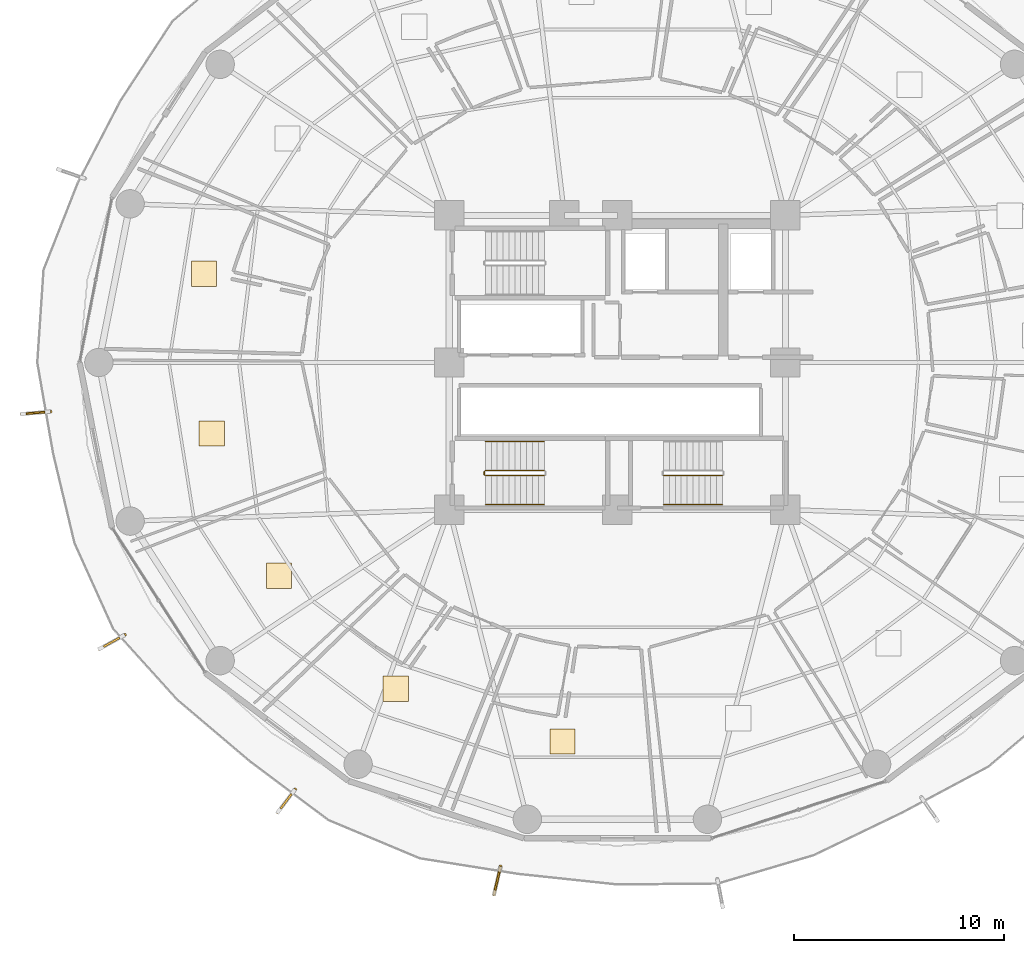
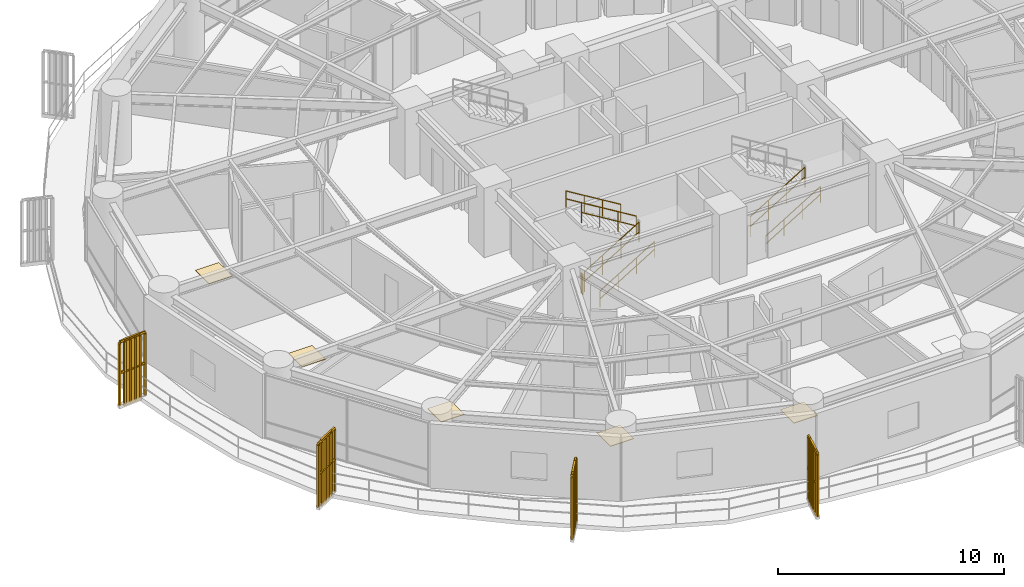
# One storey, part 30 of 33: 11 railings, 5 coverings, 4 shading devices.
"""IFC4 building model written with IfcOpenShell, lengths in metres."""

from ifc_helpers import new_model, si_unit, direction, frame, origin, origin_2d, place, context, subcontext, project, spatial, polyline, rectangle, outline, extrude, source, transform, mapped, material, layer, layer_set, type_object, element, save


model = new_model("IFC4")

# Units and contexts
model_context = context("Model", 3, precision=1e-05, world=origin(), true_north=direction((0.0, 1.0)))
body_context = subcontext(model_context, "Body", "Model", "MODEL_VIEW")
ifc_project = project(units=[si_unit("LENGTHUNIT", "METRE"), si_unit("AREAUNIT", "SQUARE_METRE"), si_unit("VOLUMEUNIT", "CUBIC_METRE"), si_unit("PLANEANGLEUNIT", "RADIAN"), si_unit("MASSUNIT", "GRAM", prefix="KILO")], contexts=[model_context])

# Site, building, storey
site_placement = place(None, origin())
site = spatial("IfcSite", under=ifc_project, at=site_placement, CompositionType="ELEMENT")
building_placement = place(site_placement, origin())
building = spatial("IfcBuilding", under=site, at=building_placement, Name="Kelanora Arch Commons", CompositionType="ELEMENT")
storey_placement = place(building_placement, frame((0.0, 0.0, 80.10009765625)))
storey = spatial("IfcBuildingStorey", under=building, at=storey_placement, Name="L20", CompositionType="ELEMENT", Elevation=80.10009765625)

# Railings
ifc_material_1 = material(Name="Anodised bronze vertical shading fin rib assembly")
railing_type_1 = type_object("IfcRailingType", Name="RAIL-FIN-BRZ", PredefinedType="BALUSTRADE", material=ifc_material_1)
railing_1_placement = place(storey_placement, frame((47.01708984375, 55.66455078125, -0.02001953125)))
element("IfcRailing", 1, at=railing_1_placement, inside=storey, type_object=railing_type_1, Name="Sweeping Bronze Vertical Fin Blade L20-06", PredefinedType="BALUSTRADE", context=body_context, shape_type="SweptSolid", body=[
    extrude(outline(polyline([(0.06982421875, 0.0), (0.034912109375, 0.060546875), (-0.034912109375, 0.060546875), (-0.06982421875, 0.0), (-0.034912109375, -0.060546875), (0.034912109375, -0.060546875), (0.06982421875, 0.0)])), frame((0.0, 0.0, 3.419921875), z_axis=(-0.996276448328, -0.086216231105, 0.0), x_axis=(0.086216231105, -0.996276448328, 0.0)), (0.0, 0.0, 1.0), 1.376220703125),
    extrude(outline(polyline([(0.06982421875, 0.0), (0.034912109375, 0.060546875), (-0.034912109375, 0.060546875), (-0.06982421875, 0.0), (-0.034912109375, -0.060546875), (0.034912109375, -0.060546875), (0.06982421875, 0.0)])), frame((0.0, 0.0, 1.7451171875), z_axis=(-0.996276448328, -0.086216231105, 0.0), x_axis=(0.086216231105, -0.996276448328, 0.0)), (0.0, 0.0, 1.0), 1.376220703125),
    extrude(outline(polyline([(0.080078125, 0.0), (0.0400390625, 0.0693359375), (-0.0400390625, 0.0693359375), (-0.080078125, 0.0), (-0.0400390625, -0.0693359375), (0.0400390625, -0.0693359375), (0.080078125, 0.0)])), origin(), (0.0, 0.0, 1.0), 3.35009765625),
    extrude(outline(polyline([(0.080078125, 0.0), (0.0400390625, 0.0693359375), (-0.0400390625, 0.0693359375), (-0.080078125, 0.0), (-0.0400390625, -0.0693359375), (0.0400390625, -0.0693359375), (0.080078125, 0.0)])), frame((-0.274169921875, -0.023681640625, 0.0)), (0.0, 0.0, 1.0), 3.35009765625),
    extrude(outline(polyline([(0.080078125, 0.0), (0.0400390625, 0.0693359375), (-0.0400390625, 0.0693359375), (-0.080078125, 0.0), (-0.0400390625, -0.0693359375), (0.0400390625, -0.0693359375), (0.080078125, 0.0)])), frame((-0.54833984375, -0.04736328125, 0.0)), (0.0, 0.0, 1.0), 3.35009765625),
    extrude(outline(polyline([(0.080078125, 0.0), (0.0400390625, 0.0693359375), (-0.0400390625, 0.0693359375), (-0.080078125, 0.0), (-0.0400390625, -0.0693359375), (0.0400390625, -0.0693359375), (0.080078125, 0.0)])), frame((-0.82275390625, -0.0712890625, 0.0)), (0.0, 0.0, 1.0), 3.35009765625),
    extrude(outline(polyline([(0.080078125, 0.0), (0.0400390625, 0.0693359375), (-0.0400390625, 0.0693359375), (-0.080078125, 0.0), (-0.0400390625, -0.0693359375), (0.0400390625, -0.0693359375), (0.080078125, 0.0)])), frame((-1.096923828125, -0.094970703125, 0.0)), (0.0, 0.0, 1.0), 3.35009765625),
    extrude(outline(polyline([(0.080078125, 0.0), (0.0400390625, 0.0693359375), (-0.0400390625, 0.0693359375), (-0.080078125, 0.0), (-0.0400390625, -0.0693359375), (0.0400390625, -0.0693359375), (0.080078125, 0.0)])), frame((-1.37109375, -0.11865234375, 0.0)), (0.0, 0.0, 1.0), 3.35009765625),
])
railing_2_placement = place(storey_placement, frame((50.553955078125, 45.031982421875, -0.02001953125)))
element("IfcRailing", 2, at=railing_2_placement, inside=storey, type_object=railing_type_1, Name="Sweeping Bronze Vertical Fin Blade L20-07", PredefinedType="BALUSTRADE", context=body_context, shape_type="SweptSolid", body=[
    extrude(outline(polyline([(0.06982421875, 0.0), (0.034912109375, 0.060546875), (-0.034912109375, 0.060546875), (-0.06982421875, 0.0), (-0.034912109375, -0.060546875), (0.034912109375, -0.060546875), (0.06982421875, 0.0)])), frame((0.0, 0.0, 3.419921875), z_axis=(-0.875059624821, -0.484015137168, 0.0), x_axis=(0.484015137168, -0.875059624821, 0.0)), (0.0, 0.0, 1.0), 1.3759765625),
    extrude(outline(polyline([(0.06982421875, 0.0), (0.034912109375, 0.060546875), (-0.034912109375, 0.060546875), (-0.06982421875, 0.0), (-0.034912109375, -0.060546875), (0.034912109375, -0.060546875), (0.06982421875, 0.0)])), frame((0.0, 0.0, 1.7451171875), z_axis=(-0.875059624821, -0.484015137168, 0.0), x_axis=(0.484015137168, -0.875059624821, 0.0)), (0.0, 0.0, 1.0), 1.3759765625),
    extrude(outline(polyline([(0.080078125, 0.0), (0.0400390625, 0.0693359375), (-0.0400390625, 0.0693359375), (-0.080078125, 0.0), (-0.0400390625, -0.0693359375), (0.0400390625, -0.0693359375), (0.080078125, 0.0)])), origin(), (0.0, 0.0, 1.0), 3.35009765625),
    extrude(outline(polyline([(0.080078125, 0.0), (0.0400390625, 0.0693359375), (-0.0400390625, 0.0693359375), (-0.080078125, 0.0), (-0.0400390625, -0.0693359375), (0.0400390625, -0.0693359375), (0.080078125, 0.0)])), frame((-0.24072265625, -0.13330078125, 0.0)), (0.0, 0.0, 1.0), 3.35009765625),
    extrude(outline(polyline([(0.080078125, 0.0), (0.0400390625, 0.0693359375), (-0.0400390625, 0.0693359375), (-0.080078125, 0.0), (-0.0400390625, -0.0693359375), (0.0400390625, -0.0693359375), (0.080078125, 0.0)])), frame((-0.481689453125, -0.266357421875, 0.0)), (0.0, 0.0, 1.0), 3.35009765625),
    extrude(outline(polyline([(0.080078125, 0.0), (0.0400390625, 0.0693359375), (-0.0400390625, 0.0693359375), (-0.080078125, 0.0), (-0.0400390625, -0.0693359375), (0.0400390625, -0.0693359375), (0.080078125, 0.0)])), frame((-0.722412109375, -0.399658203125, 0.0)), (0.0, 0.0, 1.0), 3.35009765625),
    extrude(outline(polyline([(0.080078125, 0.0), (0.0400390625, 0.0693359375), (-0.0400390625, 0.0693359375), (-0.080078125, 0.0), (-0.0400390625, -0.0693359375), (0.0400390625, -0.0693359375), (0.080078125, 0.0)])), frame((-0.96337890625, -0.53271484375, 0.0)), (0.0, 0.0, 1.0), 3.35009765625),
    extrude(outline(polyline([(0.080078125, 0.0), (0.0400390625, 0.0693359375), (-0.0400390625, 0.0693359375), (-0.080078125, 0.0), (-0.0400390625, -0.0693359375), (0.0400390625, -0.0693359375), (0.080078125, 0.0)])), frame((-1.2041015625, -0.666015625, 0.0)), (0.0, 0.0, 1.0), 3.35009765625),
])
railing_3_placement = place(storey_placement, frame((58.661376953125, 37.68408203125, -0.02001953125)))
element("IfcRailing", 3, at=railing_3_placement, inside=storey, type_object=railing_type_1, Name="Sweeping Bronze Vertical Fin Blade L20-08", PredefinedType="BALUSTRADE", context=body_context, shape_type="SweptSolid", body=[
    extrude(outline(polyline([(0.06982421875, 0.0), (0.034912109375, 0.060546875), (-0.034912109375, 0.060546875), (-0.06982421875, 0.0), (-0.034912109375, -0.060546875), (0.034912109375, -0.060546875), (0.06982421875, 0.0)])), frame((0.0, 0.0, 3.419921875), z_axis=(-0.602466615881, -0.7981440827, 0.0), x_axis=(0.7981440827, -0.602466615881, 0.0)), (0.0, 0.0, 1.0), 1.376220703125),
    extrude(outline(polyline([(0.06982421875, 0.0), (0.034912109375, 0.060546875), (-0.034912109375, 0.060546875), (-0.06982421875, 0.0), (-0.034912109375, -0.060546875), (0.034912109375, -0.060546875), (0.06982421875, 0.0)])), frame((0.0, 0.0, 1.7451171875), z_axis=(-0.602466615881, -0.7981440827, 0.0), x_axis=(0.7981440827, -0.602466615881, 0.0)), (0.0, 0.0, 1.0), 1.376220703125),
    extrude(outline(polyline([(0.080078125, 0.0), (0.0400390625, 0.0693359375), (-0.0400390625, 0.0693359375), (-0.080078125, 0.0), (-0.0400390625, -0.0693359375), (0.0400390625, -0.0693359375), (0.080078125, 0.0)])), origin(), (0.0, 0.0, 1.0), 3.35009765625),
    extrude(outline(polyline([(0.080078125, 0.0), (0.0400390625, 0.0693359375), (-0.0400390625, 0.0693359375), (-0.080078125, 0.0), (-0.0400390625, -0.0693359375), (0.0400390625, -0.0693359375), (0.080078125, 0.0)])), frame((-0.165771484375, -0.2197265625, 0.0)), (0.0, 0.0, 1.0), 3.35009765625),
    extrude(outline(polyline([(0.080078125, 0.0), (0.0400390625, 0.0693359375), (-0.0400390625, 0.0693359375), (-0.080078125, 0.0), (-0.0400390625, -0.0693359375), (0.0400390625, -0.0693359375), (0.080078125, 0.0)])), frame((-0.33154296875, -0.439453125, 0.0)), (0.0, 0.0, 1.0), 3.35009765625),
    extrude(outline(polyline([(0.080078125, 0.0), (0.0400390625, 0.0693359375), (-0.0400390625, 0.0693359375), (-0.080078125, 0.0), (-0.0400390625, -0.0693359375), (0.0400390625, -0.0693359375), (0.080078125, 0.0)])), frame((-0.49755859375, -0.658935546875, 0.0)), (0.0, 0.0, 1.0), 3.35009765625),
    extrude(outline(polyline([(0.080078125, 0.0), (0.0400390625, 0.0693359375), (-0.0400390625, 0.0693359375), (-0.080078125, 0.0), (-0.0400390625, -0.0693359375), (0.0400390625, -0.0693359375), (0.080078125, 0.0)])), frame((-0.663330078125, -0.878662109375, 0.0)), (0.0, 0.0, 1.0), 3.35009765625),
    extrude(outline(polyline([(0.080078125, 0.0), (0.0400390625, 0.0693359375), (-0.0400390625, 0.0693359375), (-0.080078125, 0.0), (-0.0400390625, -0.0693359375), (0.0400390625, -0.0693359375), (0.080078125, 0.0)])), frame((-0.8291015625, -1.098388671875, 0.0)), (0.0, 0.0, 1.0), 3.35009765625),
])
railing_4_placement = place(storey_placement, frame((68.439697265625, 34.016357421875, -0.02001953125)))
element("IfcRailing", 4, at=railing_4_placement, inside=storey, type_object=railing_type_1, Name="Sweeping Bronze Vertical Fin Blade L20-09", PredefinedType="BALUSTRADE", context=body_context, shape_type="SweptSolid", body=[
    extrude(outline(polyline([(0.06982421875, 0.0), (0.034912109375, 0.060546875), (-0.034912109375, 0.060546875), (-0.06982421875, 0.0), (-0.034912109375, -0.060546875), (0.034912109375, -0.060546875), (0.06982421875, 0.0)])), frame((0.0, 0.0, 3.419921875), z_axis=(-0.225844122237, -0.974163452636, 0.0), x_axis=(0.974163452636, -0.225844122237, 0.0)), (0.0, 0.0, 1.0), 1.376220703125),
    extrude(outline(polyline([(0.06982421875, 0.0), (0.034912109375, 0.060546875), (-0.034912109375, 0.060546875), (-0.06982421875, 0.0), (-0.034912109375, -0.060546875), (0.034912109375, -0.060546875), (0.06982421875, 0.0)])), frame((0.0, 0.0, 1.7451171875), z_axis=(-0.225844122237, -0.974163452636, 0.0), x_axis=(0.974163452636, -0.225844122237, 0.0)), (0.0, 0.0, 1.0), 1.376220703125),
    extrude(outline(polyline([(0.080078125, 0.0), (0.0400390625, 0.0693359375), (-0.0400390625, 0.0693359375), (-0.080078125, 0.0), (-0.0400390625, -0.0693359375), (0.0400390625, -0.0693359375), (0.080078125, 0.0)])), origin(), (0.0, 0.0, 1.0), 3.35009765625),
    extrude(outline(polyline([(0.080078125, 0.0), (0.0400390625, 0.0693359375), (-0.0400390625, 0.0693359375), (-0.080078125, 0.0), (-0.0400390625, -0.0693359375), (0.0400390625, -0.0693359375), (0.080078125, 0.0)])), frame((-0.062255859375, -0.26806640625, 0.0)), (0.0, 0.0, 1.0), 3.35009765625),
    extrude(outline(polyline([(0.080078125, 0.0), (0.0400390625, 0.0693359375), (-0.0400390625, 0.0693359375), (-0.080078125, 0.0), (-0.0400390625, -0.0693359375), (0.0400390625, -0.0693359375), (0.080078125, 0.0)])), frame((-0.124267578125, -0.5361328125, 0.0)), (0.0, 0.0, 1.0), 3.35009765625),
    extrude(outline(polyline([(0.080078125, 0.0), (0.0400390625, 0.0693359375), (-0.0400390625, 0.0693359375), (-0.080078125, 0.0), (-0.0400390625, -0.0693359375), (0.0400390625, -0.0693359375), (0.080078125, 0.0)])), frame((-0.1865234375, -0.804443359375, 0.0)), (0.0, 0.0, 1.0), 3.35009765625),
    extrude(outline(polyline([(0.080078125, 0.0), (0.0400390625, 0.0693359375), (-0.0400390625, 0.0693359375), (-0.080078125, 0.0), (-0.0400390625, -0.0693359375), (0.0400390625, -0.0693359375), (0.080078125, 0.0)])), frame((-0.24853515625, -1.072509765625, 0.0)), (0.0, 0.0, 1.0), 3.35009765625),
    extrude(outline(polyline([(0.080078125, 0.0), (0.0400390625, 0.0693359375), (-0.0400390625, 0.0693359375), (-0.080078125, 0.0), (-0.0400390625, -0.0693359375), (0.0400390625, -0.0693359375), (0.080078125, 0.0)])), frame((-0.310791015625, -1.340576171875, 0.0)), (0.0, 0.0, 1.0), 3.35009765625),
])
ifc_material_2 = material(Name="Painted steel stair well guard", Category="steel")
railing_type_2 = type_object("IfcRailingType", Name="RAIL-STAIR-GRD", PredefinedType="GUARDRAIL", material=ifc_material_2)
railing_5_placement = place(storey_placement, frame((76.199951171875, 52.610107421875, 0.17041015625)))
element("IfcRailing", 5, at=railing_5_placement, inside=storey, type_object=railing_type_2, Name="L20 ST-T2 stair guard 1", PredefinedType="GUARDRAIL", context=body_context, shape_type="SweptSolid", body=[
    extrude(outline(polyline([(0.02392578125, 0.0), (0.011962890625, 0.020751953125), (-0.011962890625, 0.020751953125), (-0.02392578125, 0.0), (-0.011962890625, -0.020751953125), (0.011962890625, -0.020751953125), (0.02392578125, 0.0)])), frame((0.0, 0.0, 1.076171875), z_axis=(0.854169791009, 0.0, 0.51999420009), x_axis=(0.0, 1.0, 0.0)), (0.0, 0.0, 1.0), 3.278076171875),
    extrude(outline(polyline([(0.02392578125, 0.0), (0.011962890625, 0.020751953125), (-0.011962890625, 0.020751953125), (-0.02392578125, 0.0), (-0.011962890625, -0.020751953125), (0.011962890625, -0.020751953125), (0.02392578125, 0.0)])), frame((0.0, 0.0, 0.550048828125), z_axis=(0.854169791009, 0.0, 0.51999420009), x_axis=(0.0, 1.0, 0.0)), (0.0, 0.0, 1.0), 3.278076171875),
    extrude(outline(polyline([(0.02099609375, 0.0), (0.010498046875, 0.01806640625), (-0.010498046875, 0.01806640625), (-0.02099609375, 0.0), (-0.010498046875, -0.01806640625), (0.010498046875, -0.01806640625), (0.02099609375, 0.0)])), origin(), (0.0, 0.0, 1.0), 1.052001953125),
    extrude(outline(polyline([(0.02099609375, 0.0), (0.010498046875, 0.01806640625), (-0.010498046875, 0.01806640625), (-0.02099609375, 0.0), (-0.010498046875, -0.01806640625), (0.010498046875, -0.01806640625), (0.02099609375, 0.0)])), frame((0.933349609375, 0.0, 0.568115234375)), (0.0, 0.0, 1.0), 1.052001953125),
    extrude(outline(polyline([(0.02099609375, 0.0), (0.010498046875, 0.01806640625), (-0.010498046875, 0.01806640625), (-0.02099609375, 0.0), (-0.010498046875, -0.01806640625), (0.010498046875, -0.01806640625), (0.02099609375, 0.0)])), frame((1.86669921875, 0.0, 1.136474609375)), (0.0, 0.0, 1.0), 1.052001953125),
    extrude(outline(polyline([(0.02099609375, 0.0), (0.010498046875, 0.01806640625), (-0.010498046875, 0.01806640625), (-0.02099609375, 0.0), (-0.010498046875, -0.01806640625), (0.010498046875, -0.01806640625), (0.02099609375, 0.0)])), frame((2.800048828125, 0.0, 1.70458984375)), (0.0, 0.0, 1.0), 1.052001953125),
])
railing_6_placement = place(storey_placement, frame((67.719970703125, 52.610107421875, 0.17041015625)))
element("IfcRailing", 6, at=railing_6_placement, inside=storey, type_object=railing_type_2, Name="L20 ST-T3 stair guard 1", PredefinedType="GUARDRAIL", context=body_context, shape_type="SweptSolid", body=[
    extrude(outline(polyline([(0.02392578125, 0.0), (0.011962890625, 0.020751953125), (-0.011962890625, 0.020751953125), (-0.02392578125, 0.0), (-0.011962890625, -0.020751953125), (0.011962890625, -0.020751953125), (0.02392578125, 0.0)])), frame((0.0, 0.0, 1.076171875), z_axis=(0.854169791009, 0.0, 0.51999420009), x_axis=(0.0, 1.0, 0.0)), (0.0, 0.0, 1.0), 3.278076171875),
    extrude(outline(polyline([(0.02392578125, 0.0), (0.011962890625, 0.020751953125), (-0.011962890625, 0.020751953125), (-0.02392578125, 0.0), (-0.011962890625, -0.020751953125), (0.011962890625, -0.020751953125), (0.02392578125, 0.0)])), frame((0.0, 0.0, 0.550048828125), z_axis=(0.854169791009, 0.0, 0.51999420009), x_axis=(0.0, 1.0, 0.0)), (0.0, 0.0, 1.0), 3.278076171875),
    extrude(outline(polyline([(0.02099609375, 0.0), (0.010498046875, 0.01806640625), (-0.010498046875, 0.01806640625), (-0.02099609375, 0.0), (-0.010498046875, -0.01806640625), (0.010498046875, -0.01806640625), (0.02099609375, 0.0)])), origin(), (0.0, 0.0, 1.0), 1.052001953125),
    extrude(outline(polyline([(0.02099609375, 0.0), (0.010498046875, 0.01806640625), (-0.010498046875, 0.01806640625), (-0.02099609375, 0.0), (-0.010498046875, -0.01806640625), (0.010498046875, -0.01806640625), (0.02099609375, 0.0)])), frame((0.933349609375, 0.0, 0.568115234375)), (0.0, 0.0, 1.0), 1.052001953125),
    extrude(outline(polyline([(0.02099609375, 0.0), (0.010498046875, 0.01806640625), (-0.010498046875, 0.01806640625), (-0.02099609375, 0.0), (-0.010498046875, -0.01806640625), (0.010498046875, -0.01806640625), (0.02099609375, 0.0)])), frame((1.86669921875, 0.0, 1.136474609375)), (0.0, 0.0, 1.0), 1.052001953125),
    extrude(outline(polyline([(0.02099609375, 0.0), (0.010498046875, 0.01806640625), (-0.010498046875, 0.01806640625), (-0.02099609375, 0.0), (-0.010498046875, -0.01806640625), (0.010498046875, -0.01806640625), (0.02099609375, 0.0)])), frame((2.800048828125, 0.0, 1.70458984375)), (0.0, 0.0, 1.0), 1.052001953125),
])
railing_7_placement = place(storey_placement, frame((70.52001953125, 52.860107421875, 2.04541015625)))
element("IfcRailing", 7, at=railing_7_placement, inside=storey, type_object=railing_type_2, Name="L20 ST-T3 stair guard 3", PredefinedType="GUARDRAIL", context=body_context, shape_type="SweptSolid", body=[
    extrude(outline(polyline([(0.02392578125, 0.0), (0.011962890625, 0.020751953125), (-0.011962890625, 0.020751953125), (-0.02392578125, 0.0), (-0.011962890625, -0.020751953125), (0.011962890625, -0.020751953125), (0.02392578125, 0.0)])), frame((0.0, 0.0, 1.076171875), z_axis=(-0.854169791009, 0.0, 0.51999420009), x_axis=(0.0, -1.0, 0.0)), (0.0, 0.0, 1.0), 3.278076171875),
    extrude(outline(polyline([(0.02392578125, 0.0), (0.011962890625, 0.020751953125), (-0.011962890625, 0.020751953125), (-0.02392578125, 0.0), (-0.011962890625, -0.020751953125), (0.011962890625, -0.020751953125), (0.02392578125, 0.0)])), frame((0.0, 0.0, 0.550048828125), z_axis=(-0.854169791009, 0.0, 0.51999420009), x_axis=(0.0, -1.0, 0.0)), (0.0, 0.0, 1.0), 3.278076171875),
    extrude(outline(polyline([(0.02099609375, 0.0), (0.010498046875, 0.01806640625), (-0.010498046875, 0.01806640625), (-0.02099609375, 0.0), (-0.010498046875, -0.01806640625), (0.010498046875, -0.01806640625), (0.02099609375, 0.0)])), origin(), (0.0, 0.0, 1.0), 1.052001953125),
    extrude(outline(polyline([(0.02099609375, 0.0), (0.010498046875, 0.01806640625), (-0.010498046875, 0.01806640625), (-0.02099609375, 0.0), (-0.010498046875, -0.01806640625), (0.010498046875, -0.01806640625), (0.02099609375, 0.0)])), frame((-0.933349609375, 0.0, 0.568115234375)), (0.0, 0.0, 1.0), 1.052001953125),
    extrude(outline(polyline([(0.02099609375, 0.0), (0.010498046875, 0.01806640625), (-0.010498046875, 0.01806640625), (-0.02099609375, 0.0), (-0.010498046875, -0.01806640625), (0.010498046875, -0.01806640625), (0.02099609375, 0.0)])), frame((-1.86669921875, 0.0, 1.136474609375)), (0.0, 0.0, 1.0), 1.052001953125),
    extrude(outline(polyline([(0.02099609375, 0.0), (0.010498046875, 0.01806640625), (-0.010498046875, 0.01806640625), (-0.02099609375, 0.0), (-0.010498046875, -0.01806640625), (0.010498046875, -0.01806640625), (0.02099609375, 0.0)])), frame((-2.800048828125, 0.0, 1.70458984375)), (0.0, 0.0, 1.0), 1.052001953125),
])
railing_8_placement = place(storey_placement, frame((67.669921875, 52.659912109375, 0.0)))
element("IfcRailing", 8, at=railing_8_placement, inside=storey, type_object=railing_type_2, Name="L20 ST-T3 stair guard 4", PredefinedType="GUARDRAIL", context=body_context, shape_type="SweptSolid", body=[
    extrude(outline(polyline([(0.02392578125, 0.0), (0.011962890625, 0.020751953125), (-0.011962890625, 0.020751953125), (-0.02392578125, 0.0), (-0.011962890625, -0.020751953125), (0.011962890625, -0.020751953125), (0.02392578125, 0.0)])), frame((0.0, 0.0, 1.076171875), z_axis=(0.0, 1.0, 0.0), x_axis=(-1.0, 0.0, 0.0)), (0.0, 0.0, 1.0), 0.150146484375),
    extrude(outline(polyline([(0.02392578125, 0.0), (0.011962890625, 0.020751953125), (-0.011962890625, 0.020751953125), (-0.02392578125, 0.0), (-0.011962890625, -0.020751953125), (0.011962890625, -0.020751953125), (0.02392578125, 0.0)])), frame((0.0, 0.0, 0.550048828125), z_axis=(0.0, 1.0, 0.0), x_axis=(-1.0, 0.0, 0.0)), (0.0, 0.0, 1.0), 0.150146484375),
    extrude(outline(polyline([(0.02099609375, 0.0), (0.010498046875, 0.01806640625), (-0.010498046875, 0.01806640625), (-0.02099609375, 0.0), (-0.010498046875, -0.01806640625), (0.010498046875, -0.01806640625), (0.02099609375, 0.0)])), origin(), (0.0, 0.0, 1.0), 1.052001953125),
    extrude(outline(polyline([(0.02099609375, 0.0), (0.010498046875, 0.01806640625), (-0.010498046875, 0.01806640625), (-0.02099609375, 0.0), (-0.010498046875, -0.01806640625), (0.010498046875, -0.01806640625), (0.02099609375, 0.0)])), frame((0.0, 0.150146484375, 0.0)), (0.0, 0.0, 1.0), 1.052001953125),
])
ifc_material_3 = material(Name="Brushed stainless steel stair handrail", Category="steel")
railing_type_3 = type_object("IfcRailingType", Name="RAIL-STAIR-HND", PredefinedType="HANDRAIL", material=ifc_material_3)
railing_9_placement = place(storey_placement, frame((76.199951171875, 51.22998046875, 0.17041015625)))
element("IfcRailing", 9, at=railing_9_placement, inside=storey, type_object=railing_type_3, Name="L20 ST-T2 stair handrail 1", PredefinedType="HANDRAIL", context=body_context, shape_type="SweptSolid", body=[
    extrude(outline(polyline([(0.02392578125, 0.0), (0.011962890625, 0.020751953125), (-0.011962890625, 0.020751953125), (-0.02392578125, 0.0), (-0.011962890625, -0.020751953125), (0.011962890625, -0.020751953125), (0.02392578125, 0.0)])), frame((0.0, 0.0, 0.8759765625), z_axis=(0.854169791009, 0.0, 0.51999420009), x_axis=(0.0, 1.0, 0.0)), (0.0, 0.0, 1.0), 3.278076171875),
    extrude(outline(polyline([(0.02392578125, 0.0), (0.011962890625, 0.020751953125), (-0.011962890625, 0.020751953125), (-0.02392578125, 0.0), (-0.011962890625, -0.020751953125), (0.011962890625, -0.020751953125), (0.02392578125, 0.0)])), frame((0.0, 0.0, 0.449951171875), z_axis=(0.854169791009, 0.0, 0.51999420009), x_axis=(0.0, 1.0, 0.0)), (0.0, 0.0, 1.0), 3.278076171875),
    extrude(outline(polyline([(0.02099609375, 0.0), (0.010498046875, 0.01806640625), (-0.010498046875, 0.01806640625), (-0.02099609375, 0.0), (-0.010498046875, -0.01806640625), (0.010498046875, -0.01806640625), (0.02099609375, 0.0)])), origin(), (0.0, 0.0, 1.0), 0.851806640625),
    extrude(outline(polyline([(0.02099609375, 0.0), (0.010498046875, 0.01806640625), (-0.010498046875, 0.01806640625), (-0.02099609375, 0.0), (-0.010498046875, -0.01806640625), (0.010498046875, -0.01806640625), (0.02099609375, 0.0)])), frame((0.933349609375, 0.0, 0.568115234375)), (0.0, 0.0, 1.0), 0.851806640625),
    extrude(outline(polyline([(0.02099609375, 0.0), (0.010498046875, 0.01806640625), (-0.010498046875, 0.01806640625), (-0.02099609375, 0.0), (-0.010498046875, -0.01806640625), (0.010498046875, -0.01806640625), (0.02099609375, 0.0)])), frame((1.86669921875, 0.0, 1.136474609375)), (0.0, 0.0, 1.0), 0.851806640625),
    extrude(outline(polyline([(0.02099609375, 0.0), (0.010498046875, 0.01806640625), (-0.010498046875, 0.01806640625), (-0.02099609375, 0.0), (-0.010498046875, -0.01806640625), (0.010498046875, -0.01806640625), (0.02099609375, 0.0)])), frame((2.800048828125, 0.0, 1.70458984375)), (0.0, 0.0, 1.0), 0.851806640625),
])
railing_10_placement = place(storey_placement, frame((67.719970703125, 51.22998046875, 0.17041015625)))
element("IfcRailing", 10, at=railing_10_placement, inside=storey, type_object=railing_type_3, Name="L20 ST-T3 stair handrail 1", PredefinedType="HANDRAIL", context=body_context, shape_type="SweptSolid", body=[
    extrude(outline(polyline([(0.02392578125, 0.0), (0.011962890625, 0.020751953125), (-0.011962890625, 0.020751953125), (-0.02392578125, 0.0), (-0.011962890625, -0.020751953125), (0.011962890625, -0.020751953125), (0.02392578125, 0.0)])), frame((0.0, 0.0, 0.8759765625), z_axis=(0.854169791009, 0.0, 0.51999420009), x_axis=(0.0, 1.0, 0.0)), (0.0, 0.0, 1.0), 3.278076171875),
    extrude(outline(polyline([(0.02392578125, 0.0), (0.011962890625, 0.020751953125), (-0.011962890625, 0.020751953125), (-0.02392578125, 0.0), (-0.011962890625, -0.020751953125), (0.011962890625, -0.020751953125), (0.02392578125, 0.0)])), frame((0.0, 0.0, 0.449951171875), z_axis=(0.854169791009, 0.0, 0.51999420009), x_axis=(0.0, 1.0, 0.0)), (0.0, 0.0, 1.0), 3.278076171875),
    extrude(outline(polyline([(0.02099609375, 0.0), (0.010498046875, 0.01806640625), (-0.010498046875, 0.01806640625), (-0.02099609375, 0.0), (-0.010498046875, -0.01806640625), (0.010498046875, -0.01806640625), (0.02099609375, 0.0)])), origin(), (0.0, 0.0, 1.0), 0.851806640625),
    extrude(outline(polyline([(0.02099609375, 0.0), (0.010498046875, 0.01806640625), (-0.010498046875, 0.01806640625), (-0.02099609375, 0.0), (-0.010498046875, -0.01806640625), (0.010498046875, -0.01806640625), (0.02099609375, 0.0)])), frame((0.933349609375, 0.0, 0.568115234375)), (0.0, 0.0, 1.0), 0.851806640625),
    extrude(outline(polyline([(0.02099609375, 0.0), (0.010498046875, 0.01806640625), (-0.010498046875, 0.01806640625), (-0.02099609375, 0.0), (-0.010498046875, -0.01806640625), (0.010498046875, -0.01806640625), (0.02099609375, 0.0)])), frame((1.86669921875, 0.0, 1.136474609375)), (0.0, 0.0, 1.0), 0.851806640625),
    extrude(outline(polyline([(0.02099609375, 0.0), (0.010498046875, 0.01806640625), (-0.010498046875, 0.01806640625), (-0.02099609375, 0.0), (-0.010498046875, -0.01806640625), (0.010498046875, -0.01806640625), (0.02099609375, 0.0)])), frame((2.800048828125, 0.0, 1.70458984375)), (0.0, 0.0, 1.0), 0.851806640625),
])
railing_11_placement = place(storey_placement, frame((70.52001953125, 54.239990234375, 2.04541015625)))
element("IfcRailing", 11, at=railing_11_placement, inside=storey, type_object=railing_type_3, Name="L20 ST-T3 stair handrail 2", PredefinedType="HANDRAIL", context=body_context, shape_type="SweptSolid", body=[
    extrude(outline(polyline([(0.02392578125, 0.0), (0.011962890625, 0.020751953125), (-0.011962890625, 0.020751953125), (-0.02392578125, 0.0), (-0.011962890625, -0.020751953125), (0.011962890625, -0.020751953125), (0.02392578125, 0.0)])), frame((0.0, 0.0, 0.8759765625), z_axis=(-0.854169791009, 0.0, 0.51999420009), x_axis=(0.0, -1.0, 0.0)), (0.0, 0.0, 1.0), 3.278076171875),
    extrude(outline(polyline([(0.02392578125, 0.0), (0.011962890625, 0.020751953125), (-0.011962890625, 0.020751953125), (-0.02392578125, 0.0), (-0.011962890625, -0.020751953125), (0.011962890625, -0.020751953125), (0.02392578125, 0.0)])), frame((0.0, 0.0, 0.449951171875), z_axis=(-0.854169791009, 0.0, 0.51999420009), x_axis=(0.0, -1.0, 0.0)), (0.0, 0.0, 1.0), 3.278076171875),
    extrude(outline(polyline([(0.02099609375, 0.0), (0.010498046875, 0.01806640625), (-0.010498046875, 0.01806640625), (-0.02099609375, 0.0), (-0.010498046875, -0.01806640625), (0.010498046875, -0.01806640625), (0.02099609375, 0.0)])), origin(), (0.0, 0.0, 1.0), 0.851806640625),
    extrude(outline(polyline([(0.02099609375, 0.0), (0.010498046875, 0.01806640625), (-0.010498046875, 0.01806640625), (-0.02099609375, 0.0), (-0.010498046875, -0.01806640625), (0.010498046875, -0.01806640625), (0.02099609375, 0.0)])), frame((-0.933349609375, 0.0, 0.568115234375)), (0.0, 0.0, 1.0), 0.851806640625),
    extrude(outline(polyline([(0.02099609375, 0.0), (0.010498046875, 0.01806640625), (-0.010498046875, 0.01806640625), (-0.02099609375, 0.0), (-0.010498046875, -0.01806640625), (0.010498046875, -0.01806640625), (0.02099609375, 0.0)])), frame((-1.86669921875, 0.0, 1.136474609375)), (0.0, 0.0, 1.0), 0.851806640625),
    extrude(outline(polyline([(0.02099609375, 0.0), (0.010498046875, 0.01806640625), (-0.010498046875, 0.01806640625), (-0.02099609375, 0.0), (-0.010498046875, -0.01806640625), (0.010498046875, -0.01806640625), (0.02099609375, 0.0)])), frame((-2.800048828125, 0.0, 1.70458984375)), (0.0, 0.0, 1.0), 0.851806640625),
])

# Shading devices
ifc_material_4 = material(Name="Terracotta ceramic-clad extruded aluminium fin", Category="masonry")
shading_device_type = type_object("IfcShadingDeviceType", Name="SHD-FIN-FLARE", PredefinedType="USERDEFINED", material=ifc_material_4)
shared_shape_1 = source(origin(), body_context, "Body", "SweptSolid", [
    extrude(rectangle(XDim=0.8798828125, YDim=0.090087890625, at=origin_2d()), origin(), (0.0, 0.0, 1.0), 3.610107421875),
])
for number, where, z_axis, x_axis, name in (
    (12, (46.2998046875, 55.602294921875, -0.14013671875), (0.0, 0.0, 1.0), (-0.996270376493, -0.086286365798, 0.0), "Sweeping Terracotta Fin L20-06"),
    (13, (49.924072265625, 44.68359375, -0.14013671875), (0.0, 0.0, 1.0), (-0.875042450261, -0.484046186062, 0.0), "Sweeping Terracotta Fin L20-07"),
    (14, (58.2275390625, 37.109619140625, -0.14013671875), (0.0, 0.0, 1.0), (-0.602511734868, -0.798110023334, 0.0), "Sweeping Terracotta Fin L20-08"),
    (15, (68.277099609375, 33.31494140625, -0.14013671875), (0.0, 0.0, 1.0), (-0.225801266869, -0.97417338697, 0.0), "Sweeping Terracotta Fin L20-09"),
):
    element("IfcShadingDevice", number, at=place(storey_placement, frame(where, z_axis=z_axis, x_axis=x_axis)), inside=storey, type_object=shading_device_type, Name=name, ObjectType="FIN", PredefinedType="USERDEFINED", context=body_context, shape_type="MappedRepresentation", body=[
        mapped(shared_shape_1, transform((0.0, 0.0, 0.0), scale=1.0)),
    ])

# Coverings
ifc_material_5 = material(Name="Polished local granite terrazzo flooring", Category="masonry")
ifc_layer = layer(ifc_material_5, 0.030029296875)
ifc_layer_set = layer_set([ifc_layer], Name="Polished local granite terrazzo flooring")
covering_type = type_object("IfcCoveringType", Name="COV-FLR-TER", PredefinedType="FLOORING", material=ifc_layer_set)
shared_shape_2 = source(origin(), body_context, "Body", "SweptSolid", [
    extrude(rectangle(XDim=1.199951171875, YDim=1.199951171875, at=origin_2d()), origin(), (0.0, 0.0, 1.0), 0.030029296875),
])
for number, where, z_axis, x_axis, name in (
    (16, (54.328857421875, 62.2255859375, 0.0), (0.0, 0.0, 1.0), (1.0, 0.0, 0.0), "Co-Living Studio L20-07 Terrazzo Finish"),
    (17, (54.695068359375, 54.62158203125, 0.0), (0.0, 0.0, 1.0), (1.0, 0.0, 0.0), "Quiet Seminar Study Room L20-08 Terrazzo Finish"),
    (18, (57.890380859375, 47.8447265625, 0.0), (0.0, 0.0, 1.0), (1.0, 0.0, 0.0), "Communal Dining and Social Hall L20-09 Terrazzo Finish"),
    (19, (63.453125, 42.469970703125, 0.0), (0.0, 0.0, 1.0), (1.0, 0.0, 0.0), "Co-Living Studio L20-10 Terrazzo Finish"),
    (20, (71.384033203125, 39.95263671875, 0.0), (0.0, 0.0, 1.0), (1.0, 0.0, 0.0), "Co-Living Studio L20-11 Terrazzo Finish"),
):
    element("IfcCovering", number, at=place(storey_placement, frame(where, z_axis=z_axis, x_axis=x_axis)), inside=storey, type_object=covering_type, Name=name, PredefinedType="FLOORING", context=body_context, shape_type="MappedRepresentation", body=[
        mapped(shared_shape_2, transform((0.0, 0.0, 0.0), scale=1.0)),
    ])

save(model, "model.ifc")
